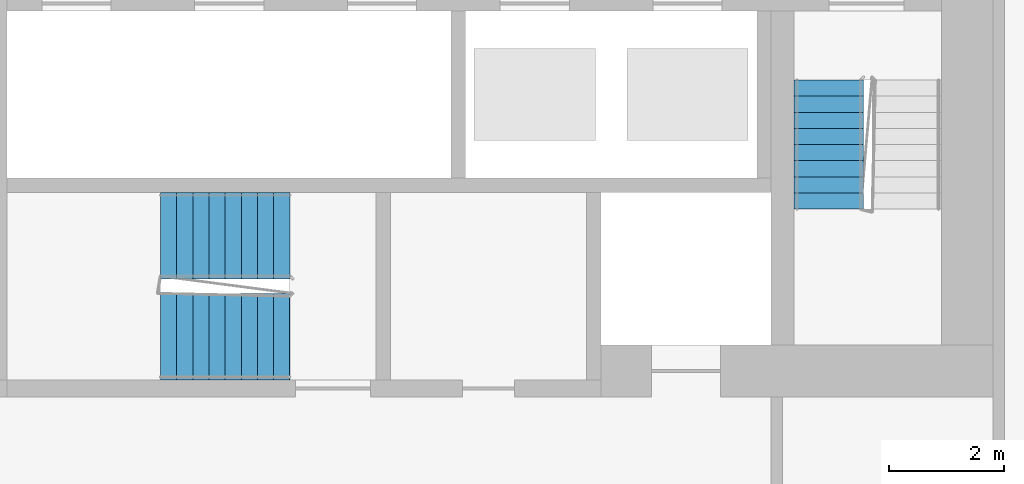
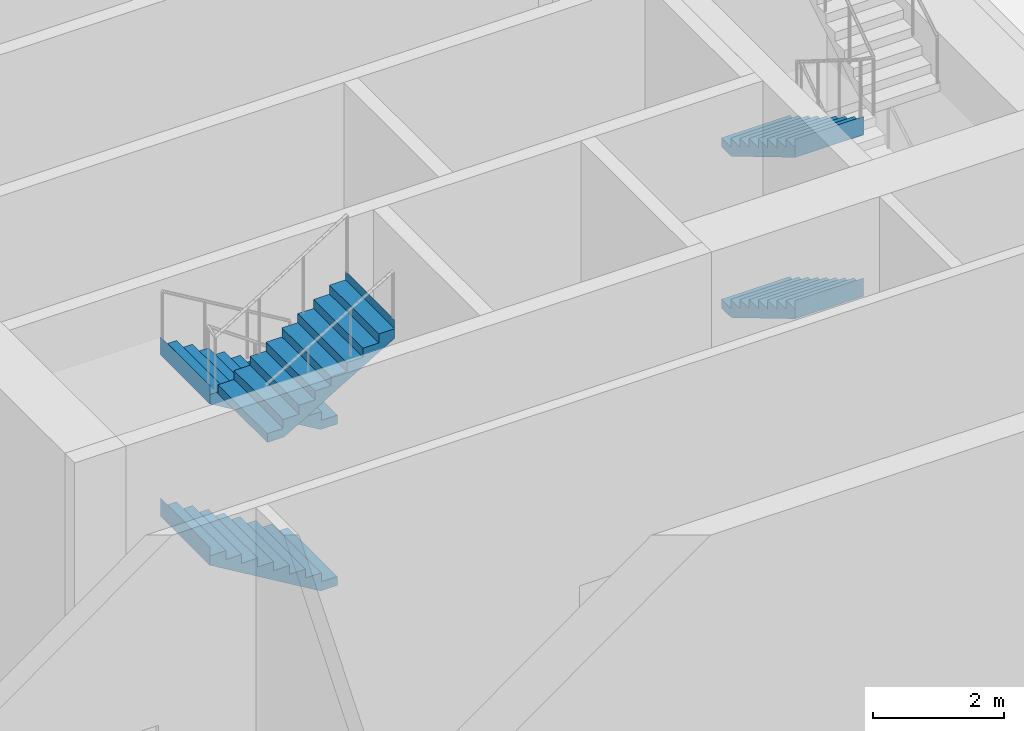
# One storey, part 18 of 27: 5 stair flights, 2 elements without a shape of their own.
"""IFC4 building model written with IfcOpenShell, lengths in metres."""

from ifc_helpers import new_model, si_unit, direction, frame, origin, place, context, subcontext, project, spatial, faceted_brep, material, type_object, element, aggregate, save


model = new_model("IFC4")

# Units and contexts
model_context = context("Model", 3, precision=1e-05, world=origin(), true_north=direction((0.0, 1.0)))
body_context = subcontext(model_context, "Body", "Model", "MODEL_VIEW")
ifc_project = project(units=[si_unit("LENGTHUNIT", "METRE"), si_unit("AREAUNIT", "SQUARE_METRE"), si_unit("VOLUMEUNIT", "CUBIC_METRE"), si_unit("PLANEANGLEUNIT", "RADIAN"), si_unit("MASSUNIT", "GRAM", prefix="KILO")], contexts=[model_context])

# Site, building, storey
site_placement = place(None, origin())
site = spatial("IfcSite", under=ifc_project, at=site_placement, CompositionType="ELEMENT")
building_placement = place(site_placement, origin())
building = spatial("IfcBuilding", under=site, at=building_placement, Name="Kajstack Hotel Tower", CompositionType="ELEMENT")
storey_placement = place(building_placement, frame((0.0, 0.0, 11.0)))
storey = spatial("IfcBuildingStorey", under=building, at=storey_placement, Name="L01", CompositionType="ELEMENT", Elevation=11.0)

# Stair, stair flights
ifc_material = material(Name="Concrete C40/50", Category="concrete")
stair_type_1 = type_object("IfcStairType", Name="Exit stair 1200", PredefinedType="HALF_TURN_STAIR", material=ifc_material)
stair_1_placement = place(storey_placement, origin())
stair_1 = element("IfcStair", 1, at=stair_1_placement, inside=storey, type_object=stair_type_1, Name="L01 stair W2", PredefinedType="HALF_TURN_STAIR")
stair_flight_type_1 = type_object("IfcStairFlightType", Name="Exit stair flight 1200", PredefinedType="STRAIGHT", material=ifc_material)
stair_flight_1_placement = place(storey_placement, frame((-16.35009765625, -10.0, 0.0), z_axis=(0.0, 0.0, 1.0), x_axis=(0.0, -1.0, 0.0)))
stair_flight_1 = element("IfcStairFlight", 2, at=stair_flight_1_placement, type_object=stair_flight_type_1, Name="W2 flight 1", NumberOfRisers=9, NumberOfTreads=8, PredefinedType="STRAIGHT", RiserHeight=0.166666667, TreadLength=0.28, context=body_context, shape_type="Brep", body=[
    faceted_brep([(0.29345703125, -0.60009765625, 0.0), (2.240478515625, -0.60009765625, 1.158935546875), (2.240478515625, -0.60009765625, 1.5), (2.239990234375, -0.60009765625, 1.5), (2.239990234375, -0.60009765625, 1.333251953125), (1.9599609375, -0.60009765625, 1.333251953125), (1.9599609375, -0.60009765625, 1.166748046875), (1.679931640625, -0.60009765625, 1.166748046875), (1.679931640625, -0.60009765625, 1.0), (1.39990234375, -0.60009765625, 1.0), (1.39990234375, -0.60009765625, 0.833251953125), (1.1201171875, -0.60009765625, 0.833251953125), (1.1201171875, -0.60009765625, 0.666748046875), (0.840087890625, -0.60009765625, 0.666748046875), (0.840087890625, -0.60009765625, 0.5), (0.56005859375, -0.60009765625, 0.5), (0.56005859375, -0.60009765625, 0.333251953125), (0.280029296875, -0.60009765625, 0.333251953125), (0.280029296875, -0.60009765625, 0.166748046875), (-0.00048828125, -0.60009765625, 0.166748046875), (-0.00048828125, -0.60009765625, 0.0), (-0.00048828125, 0.60009765625, 0.0), (-0.00048828125, 0.60009765625, 0.166748046875), (0.280029296875, 0.60009765625, 0.166748046875), (0.280029296875, 0.60009765625, 0.333251953125), (0.56005859375, 0.60009765625, 0.333251953125), (0.56005859375, 0.60009765625, 0.5), (0.840087890625, 0.60009765625, 0.5), (0.840087890625, 0.60009765625, 0.666748046875), (1.1201171875, 0.60009765625, 0.666748046875), (1.1201171875, 0.60009765625, 0.833251953125), (1.39990234375, 0.60009765625, 0.833251953125), (1.39990234375, 0.60009765625, 1.0), (1.679931640625, 0.60009765625, 1.0), (1.679931640625, 0.60009765625, 1.166748046875), (1.9599609375, 0.60009765625, 1.166748046875), (1.9599609375, 0.60009765625, 1.333251953125), (2.239990234375, 0.60009765625, 1.333251953125), (2.239990234375, 0.60009765625, 1.5), (2.240478515625, 0.60009765625, 1.5), (2.240478515625, 0.60009765625, 1.158935546875), (0.29345703125, 0.60009765625, 0.0), (-0.00048828125, -0.300048828125, 0.166748046875), (-0.00048828125, 0.0, 0.166748046875), (-0.00048828125, 0.300048828125, 0.166748046875), (-0.00048828125, 0.300048828125, 0.0), (-0.00048828125, 0.0, 0.0), (-0.00048828125, -0.300048828125, 0.0), (0.280029296875, -0.300048828125, 0.166748046875), (0.280029296875, 0.0, 0.166748046875), (0.280029296875, 0.300048828125, 0.166748046875), (0.280029296875, -0.300048828125, 0.333251953125), (0.280029296875, 0.0, 0.333251953125), (0.280029296875, 0.300048828125, 0.333251953125), (0.56005859375, -0.300048828125, 0.333251953125), (0.56005859375, 0.0, 0.333251953125), (0.56005859375, 0.300048828125, 0.333251953125), (0.56005859375, -0.300048828125, 0.5), (0.56005859375, 0.0, 0.5), (0.56005859375, 0.300048828125, 0.5), (0.840087890625, -0.300048828125, 0.5), (0.840087890625, 0.0, 0.5), (0.840087890625, 0.300048828125, 0.5), (0.840087890625, -0.300048828125, 0.666748046875), (0.840087890625, 0.0, 0.666748046875), (0.840087890625, 0.300048828125, 0.666748046875), (1.1201171875, -0.300048828125, 0.666748046875), (1.1201171875, 0.0, 0.666748046875), (1.1201171875, 0.300048828125, 0.666748046875), (1.1201171875, -0.300048828125, 0.833251953125), (1.1201171875, 0.0, 0.833251953125), (1.1201171875, 0.300048828125, 0.833251953125), (1.39990234375, -0.300048828125, 0.833251953125), (1.39990234375, 0.0, 0.833251953125), (1.39990234375, 0.300048828125, 0.833251953125), (1.39990234375, -0.300048828125, 1.0), (1.39990234375, 0.0, 1.0), (1.39990234375, 0.300048828125, 1.0), (1.679931640625, -0.300048828125, 1.0), (1.679931640625, 0.0, 1.0), (1.679931640625, 0.300048828125, 1.0), (1.679931640625, -0.300048828125, 1.166748046875), (1.679931640625, 0.0, 1.166748046875), (1.679931640625, 0.300048828125, 1.166748046875), (1.9599609375, -0.300048828125, 1.166748046875), (1.9599609375, 0.0, 1.166748046875), (1.9599609375, 0.300048828125, 1.166748046875), (1.9599609375, -0.300048828125, 1.333251953125), (1.9599609375, 0.0, 1.333251953125), (1.9599609375, 0.300048828125, 1.333251953125), (2.239990234375, -0.300048828125, 1.333251953125), (2.239990234375, 0.0, 1.333251953125), (2.239990234375, 0.300048828125, 1.333251953125), (2.239990234375, -0.300048828125, 1.5), (2.239990234375, 0.0, 1.5), (2.239990234375, 0.300048828125, 1.5), (2.240478515625, -0.300048828125, 1.5), (2.240478515625, 0.0, 1.5), (2.240478515625, 0.300048828125, 1.5), (2.240478515625, -0.300048828125, 1.158935546875), (2.240478515625, 0.0, 1.158935546875), (2.240478515625, 0.300048828125, 1.158935546875), (0.29345703125, -0.300048828125, 0.0), (0.29345703125, 0.0, 0.0), (0.29345703125, 0.300048828125, 0.0)], [[[0, 1, 2, 3, 4, 5, 6, 7, 8, 9, 10, 11, 12, 13, 14, 15, 16, 17, 18, 19, 20]], [[21, 22, 23, 24, 25, 26, 27, 28, 29, 30, 31, 32, 33, 34, 35, 36, 37, 38, 39, 40, 41]], [[19, 42, 43, 44, 22, 21, 45, 46, 47, 20]], [[18, 48, 49, 50, 23, 22, 44, 43, 42, 19]], [[17, 51, 52, 53, 24, 23, 50, 49, 48, 18]], [[16, 54, 55, 56, 25, 24, 53, 52, 51, 17]], [[15, 57, 58, 59, 26, 25, 56, 55, 54, 16]], [[14, 60, 61, 62, 27, 26, 59, 58, 57, 15]], [[13, 63, 64, 65, 28, 27, 62, 61, 60, 14]], [[12, 66, 67, 68, 29, 28, 65, 64, 63, 13]], [[11, 69, 70, 71, 30, 29, 68, 67, 66, 12]], [[10, 72, 73, 74, 31, 30, 71, 70, 69, 11]], [[9, 75, 76, 77, 32, 31, 74, 73, 72, 10]], [[8, 78, 79, 80, 33, 32, 77, 76, 75, 9]], [[7, 81, 82, 83, 34, 33, 80, 79, 78, 8]], [[6, 84, 85, 86, 35, 34, 83, 82, 81, 7]], [[5, 87, 88, 89, 36, 35, 86, 85, 84, 6]], [[4, 90, 91, 92, 37, 36, 89, 88, 87, 5]], [[3, 93, 94, 95, 38, 37, 92, 91, 90, 4]], [[2, 96, 97, 98, 39, 38, 95, 94, 93, 3]], [[1, 99, 100, 101, 40, 39, 98, 97, 96, 2]], [[0, 102, 103, 104, 41, 40, 101, 100, 99, 1]], [[20, 47, 46, 45, 21, 41, 104, 103, 102, 0]]]),
])
stair_flight_2_placement = place(storey_placement, frame((-16.35009765625, -10.0, 3.0), z_axis=(0.0, 0.0, 1.0), x_axis=(0.0, -1.0, 0.0)))
stair_flight_2 = element("IfcStairFlight", 3, at=stair_flight_2_placement, type_object=stair_flight_type_1, Name="W2 flight 3", NumberOfRisers=9, NumberOfTreads=8, PredefinedType="STRAIGHT", RiserHeight=0.166666667, TreadLength=0.28, context=body_context, shape_type="Brep", body=[
    faceted_brep([(0.29345703125, -0.60009765625, 0.0), (2.240478515625, -0.60009765625, 1.158935546875), (2.240478515625, -0.60009765625, 1.5), (2.239990234375, -0.60009765625, 1.5), (2.239990234375, -0.60009765625, 1.333251953125), (1.9599609375, -0.60009765625, 1.333251953125), (1.9599609375, -0.60009765625, 1.166748046875), (1.679931640625, -0.60009765625, 1.166748046875), (1.679931640625, -0.60009765625, 1.0), (1.39990234375, -0.60009765625, 1.0), (1.39990234375, -0.60009765625, 0.833251953125), (1.1201171875, -0.60009765625, 0.833251953125), (1.1201171875, -0.60009765625, 0.666748046875), (0.840087890625, -0.60009765625, 0.666748046875), (0.840087890625, -0.60009765625, 0.5), (0.56005859375, -0.60009765625, 0.5), (0.56005859375, -0.60009765625, 0.333251953125), (0.280029296875, -0.60009765625, 0.333251953125), (0.280029296875, -0.60009765625, 0.166748046875), (-0.00048828125, -0.60009765625, 0.166748046875), (-0.00048828125, -0.60009765625, 0.0), (-0.00048828125, 0.60009765625, 0.0), (-0.00048828125, 0.60009765625, 0.166748046875), (0.280029296875, 0.60009765625, 0.166748046875), (0.280029296875, 0.60009765625, 0.333251953125), (0.56005859375, 0.60009765625, 0.333251953125), (0.56005859375, 0.60009765625, 0.5), (0.840087890625, 0.60009765625, 0.5), (0.840087890625, 0.60009765625, 0.666748046875), (1.1201171875, 0.60009765625, 0.666748046875), (1.1201171875, 0.60009765625, 0.833251953125), (1.39990234375, 0.60009765625, 0.833251953125), (1.39990234375, 0.60009765625, 1.0), (1.679931640625, 0.60009765625, 1.0), (1.679931640625, 0.60009765625, 1.166748046875), (1.9599609375, 0.60009765625, 1.166748046875), (1.9599609375, 0.60009765625, 1.333251953125), (2.239990234375, 0.60009765625, 1.333251953125), (2.239990234375, 0.60009765625, 1.5), (2.240478515625, 0.60009765625, 1.5), (2.240478515625, 0.60009765625, 1.158935546875), (0.29345703125, 0.60009765625, 0.0), (-0.00048828125, -0.300048828125, 0.166748046875), (-0.00048828125, 0.0, 0.166748046875), (-0.00048828125, 0.300048828125, 0.166748046875), (-0.00048828125, 0.300048828125, 0.0), (-0.00048828125, 0.0, 0.0), (-0.00048828125, -0.300048828125, 0.0), (0.280029296875, -0.300048828125, 0.166748046875), (0.280029296875, 0.0, 0.166748046875), (0.280029296875, 0.300048828125, 0.166748046875), (0.280029296875, -0.300048828125, 0.333251953125), (0.280029296875, 0.0, 0.333251953125), (0.280029296875, 0.300048828125, 0.333251953125), (0.56005859375, -0.300048828125, 0.333251953125), (0.56005859375, 0.0, 0.333251953125), (0.56005859375, 0.300048828125, 0.333251953125), (0.56005859375, -0.300048828125, 0.5), (0.56005859375, 0.0, 0.5), (0.56005859375, 0.300048828125, 0.5), (0.840087890625, -0.300048828125, 0.5), (0.840087890625, 0.0, 0.5), (0.840087890625, 0.300048828125, 0.5), (0.840087890625, -0.300048828125, 0.666748046875), (0.840087890625, 0.0, 0.666748046875), (0.840087890625, 0.300048828125, 0.666748046875), (1.1201171875, -0.300048828125, 0.666748046875), (1.1201171875, 0.0, 0.666748046875), (1.1201171875, 0.300048828125, 0.666748046875), (1.1201171875, -0.300048828125, 0.833251953125), (1.1201171875, 0.0, 0.833251953125), (1.1201171875, 0.300048828125, 0.833251953125), (1.39990234375, -0.300048828125, 0.833251953125), (1.39990234375, 0.0, 0.833251953125), (1.39990234375, 0.300048828125, 0.833251953125), (1.39990234375, -0.300048828125, 1.0), (1.39990234375, 0.0, 1.0), (1.39990234375, 0.300048828125, 1.0), (1.679931640625, -0.300048828125, 1.0), (1.679931640625, 0.0, 1.0), (1.679931640625, 0.300048828125, 1.0), (1.679931640625, -0.300048828125, 1.166748046875), (1.679931640625, 0.0, 1.166748046875), (1.679931640625, 0.300048828125, 1.166748046875), (1.9599609375, -0.300048828125, 1.166748046875), (1.9599609375, 0.0, 1.166748046875), (1.9599609375, 0.300048828125, 1.166748046875), (1.9599609375, -0.300048828125, 1.333251953125), (1.9599609375, 0.0, 1.333251953125), (1.9599609375, 0.300048828125, 1.333251953125), (2.239990234375, -0.300048828125, 1.333251953125), (2.239990234375, 0.0, 1.333251953125), (2.239990234375, 0.300048828125, 1.333251953125), (2.239990234375, -0.300048828125, 1.5), (2.239990234375, 0.0, 1.5), (2.239990234375, 0.300048828125, 1.5), (2.240478515625, -0.300048828125, 1.5), (2.240478515625, 0.0, 1.5), (2.240478515625, 0.300048828125, 1.5), (2.240478515625, -0.300048828125, 1.158935546875), (2.240478515625, 0.0, 1.158935546875), (2.240478515625, 0.300048828125, 1.158935546875), (0.29345703125, -0.300048828125, 0.0), (0.29345703125, 0.0, 0.0), (0.29345703125, 0.300048828125, 0.0)], [[[0, 1, 2, 3, 4, 5, 6, 7, 8, 9, 10, 11, 12, 13, 14, 15, 16, 17, 18, 19, 20]], [[21, 22, 23, 24, 25, 26, 27, 28, 29, 30, 31, 32, 33, 34, 35, 36, 37, 38, 39, 40, 41]], [[19, 42, 43, 44, 22, 21, 45, 46, 47, 20]], [[18, 48, 49, 50, 23, 22, 44, 43, 42, 19]], [[17, 51, 52, 53, 24, 23, 50, 49, 48, 18]], [[16, 54, 55, 56, 25, 24, 53, 52, 51, 17]], [[15, 57, 58, 59, 26, 25, 56, 55, 54, 16]], [[14, 60, 61, 62, 27, 26, 59, 58, 57, 15]], [[13, 63, 64, 65, 28, 27, 62, 61, 60, 14]], [[12, 66, 67, 68, 29, 28, 65, 64, 63, 13]], [[11, 69, 70, 71, 30, 29, 68, 67, 66, 12]], [[10, 72, 73, 74, 31, 30, 71, 70, 69, 11]], [[9, 75, 76, 77, 32, 31, 74, 73, 72, 10]], [[8, 78, 79, 80, 33, 32, 77, 76, 75, 9]], [[7, 81, 82, 83, 34, 33, 80, 79, 78, 8]], [[6, 84, 85, 86, 35, 34, 83, 82, 81, 7]], [[5, 87, 88, 89, 36, 35, 86, 85, 84, 6]], [[4, 90, 91, 92, 37, 36, 89, 88, 87, 5]], [[3, 93, 94, 95, 38, 37, 92, 91, 90, 4]], [[2, 96, 97, 98, 39, 38, 95, 94, 93, 3]], [[1, 99, 100, 101, 40, 39, 98, 97, 96, 2]], [[0, 102, 103, 104, 41, 40, 101, 100, 99, 1]], [[20, 47, 46, 45, 21, 41, 104, 103, 102, 0]]]),
])
aggregate(stair_1, [stair_flight_1, stair_flight_2])

stair_type_2 = type_object("IfcStairType", Name="Exit stair 1500", PredefinedType="HALF_TURN_STAIR", material=ifc_material)
stair_2_placement = place(storey_placement, origin())
stair_2 = element("IfcStair", 4, at=stair_2_placement, inside=storey, type_object=stair_type_2, Name="L01 stair W3", PredefinedType="HALF_TURN_STAIR")
stair_flight_type_2 = type_object("IfcStairFlightType", Name="Exit stair flight 1500", PredefinedType="STRAIGHT", material=ifc_material)
stair_flight_3_placement = place(storey_placement, frame((-25.699951171875, -12.699951171875, 0.0), z_axis=(0.0, 0.0, 1.0), x_axis=(-1.0, 0.0, 0.0)))
stair_flight_3 = element("IfcStairFlight", 5, at=stair_flight_3_placement, type_object=stair_flight_type_2, Name="W3 flight 1", NumberOfRisers=9, NumberOfTreads=8, PredefinedType="STRAIGHT", RiserHeight=0.166666667, TreadLength=0.28, context=body_context, shape_type="Brep", body=[
    faceted_brep([(0.29345703125, -0.75, 0.0), (2.240478515625, -0.75, 1.158935546875), (2.240478515625, -0.75, 1.5), (2.239990234375, -0.75, 1.5), (2.239990234375, -0.75, 1.333251953125), (1.9599609375, -0.75, 1.333251953125), (1.9599609375, -0.75, 1.166748046875), (1.679931640625, -0.75, 1.166748046875), (1.679931640625, -0.75, 1.0), (1.39990234375, -0.75, 1.0), (1.39990234375, -0.75, 0.833251953125), (1.1201171875, -0.75, 0.833251953125), (1.1201171875, -0.75, 0.666748046875), (0.840087890625, -0.75, 0.666748046875), (0.840087890625, -0.75, 0.5), (0.56005859375, -0.75, 0.5), (0.56005859375, -0.75, 0.333251953125), (0.280029296875, -0.75, 0.333251953125), (0.280029296875, -0.75, 0.166748046875), (-0.00048828125, -0.75, 0.166748046875), (-0.00048828125, -0.75, 0.0), (-0.00048828125, 0.75, 0.0), (-0.00048828125, 0.75, 0.166748046875), (0.280029296875, 0.75, 0.166748046875), (0.280029296875, 0.75, 0.333251953125), (0.56005859375, 0.75, 0.333251953125), (0.56005859375, 0.75, 0.5), (0.840087890625, 0.75, 0.5), (0.840087890625, 0.75, 0.666748046875), (1.1201171875, 0.75, 0.666748046875), (1.1201171875, 0.75, 0.833251953125), (1.39990234375, 0.75, 0.833251953125), (1.39990234375, 0.75, 1.0), (1.679931640625, 0.75, 1.0), (1.679931640625, 0.75, 1.166748046875), (1.9599609375, 0.75, 1.166748046875), (1.9599609375, 0.75, 1.333251953125), (2.239990234375, 0.75, 1.333251953125), (2.239990234375, 0.75, 1.5), (2.240478515625, 0.75, 1.5), (2.240478515625, 0.75, 1.158935546875), (0.29345703125, 0.75, 0.0), (-0.00048828125, -0.375, 0.166748046875), (-0.00048828125, 0.0, 0.166748046875), (-0.00048828125, 0.375, 0.166748046875), (-0.00048828125, 0.375, 0.0), (-0.00048828125, 0.0, 0.0), (-0.00048828125, -0.375, 0.0), (0.280029296875, -0.375, 0.166748046875), (0.280029296875, 0.0, 0.166748046875), (0.280029296875, 0.375, 0.166748046875), (0.280029296875, -0.375, 0.333251953125), (0.280029296875, 0.0, 0.333251953125), (0.280029296875, 0.375, 0.333251953125), (0.56005859375, -0.375, 0.333251953125), (0.56005859375, 0.0, 0.333251953125), (0.56005859375, 0.375, 0.333251953125), (0.56005859375, -0.375, 0.5), (0.56005859375, 0.0, 0.5), (0.56005859375, 0.375, 0.5), (0.840087890625, -0.375, 0.5), (0.840087890625, 0.0, 0.5), (0.840087890625, 0.375, 0.5), (0.840087890625, -0.375, 0.666748046875), (0.840087890625, 0.0, 0.666748046875), (0.840087890625, 0.375, 0.666748046875), (1.1201171875, -0.375, 0.666748046875), (1.1201171875, 0.0, 0.666748046875), (1.1201171875, 0.375, 0.666748046875), (1.1201171875, -0.375, 0.833251953125), (1.1201171875, 0.0, 0.833251953125), (1.1201171875, 0.375, 0.833251953125), (1.39990234375, -0.375, 0.833251953125), (1.39990234375, 0.0, 0.833251953125), (1.39990234375, 0.375, 0.833251953125), (1.39990234375, -0.375, 1.0), (1.39990234375, 0.0, 1.0), (1.39990234375, 0.375, 1.0), (1.679931640625, -0.375, 1.0), (1.679931640625, 0.0, 1.0), (1.679931640625, 0.375, 1.0), (1.679931640625, -0.375, 1.166748046875), (1.679931640625, 0.0, 1.166748046875), (1.679931640625, 0.375, 1.166748046875), (1.9599609375, -0.375, 1.166748046875), (1.9599609375, 0.0, 1.166748046875), (1.9599609375, 0.375, 1.166748046875), (1.9599609375, -0.375, 1.333251953125), (1.9599609375, 0.0, 1.333251953125), (1.9599609375, 0.375, 1.333251953125), (2.239990234375, -0.375, 1.333251953125), (2.239990234375, 0.0, 1.333251953125), (2.239990234375, 0.375, 1.333251953125), (2.239990234375, -0.375, 1.5), (2.239990234375, 0.0, 1.5), (2.239990234375, 0.375, 1.5), (2.240478515625, -0.375, 1.5), (2.240478515625, 0.0, 1.5), (2.240478515625, 0.375, 1.5), (2.240478515625, -0.375, 1.158935546875), (2.240478515625, 0.0, 1.158935546875), (2.240478515625, 0.375, 1.158935546875), (0.29345703125, -0.375, 0.0), (0.29345703125, 0.0, 0.0), (0.29345703125, 0.375, 0.0)], [[[0, 1, 2, 3, 4, 5, 6, 7, 8, 9, 10, 11, 12, 13, 14, 15, 16, 17, 18, 19, 20]], [[21, 22, 23, 24, 25, 26, 27, 28, 29, 30, 31, 32, 33, 34, 35, 36, 37, 38, 39, 40, 41]], [[19, 42, 43, 44, 22, 21, 45, 46, 47, 20]], [[18, 48, 49, 50, 23, 22, 44, 43, 42, 19]], [[17, 51, 52, 53, 24, 23, 50, 49, 48, 18]], [[16, 54, 55, 56, 25, 24, 53, 52, 51, 17]], [[15, 57, 58, 59, 26, 25, 56, 55, 54, 16]], [[14, 60, 61, 62, 27, 26, 59, 58, 57, 15]], [[13, 63, 64, 65, 28, 27, 62, 61, 60, 14]], [[12, 66, 67, 68, 29, 28, 65, 64, 63, 13]], [[11, 69, 70, 71, 30, 29, 68, 67, 66, 12]], [[10, 72, 73, 74, 31, 30, 71, 70, 69, 11]], [[9, 75, 76, 77, 32, 31, 74, 73, 72, 10]], [[8, 78, 79, 80, 33, 32, 77, 76, 75, 9]], [[7, 81, 82, 83, 34, 33, 80, 79, 78, 8]], [[6, 84, 85, 86, 35, 34, 83, 82, 81, 7]], [[5, 87, 88, 89, 36, 35, 86, 85, 84, 6]], [[4, 90, 91, 92, 37, 36, 89, 88, 87, 5]], [[3, 93, 94, 95, 38, 37, 92, 91, 90, 4]], [[2, 96, 97, 98, 39, 38, 95, 94, 93, 3]], [[1, 99, 100, 101, 40, 39, 98, 97, 96, 2]], [[0, 102, 103, 104, 41, 40, 101, 100, 99, 1]], [[20, 47, 46, 45, 21, 41, 104, 103, 102, 0]]]),
])
stair_flight_4_placement = place(storey_placement, frame((-25.699951171875, -12.699951171875, 3.0), z_axis=(0.0, 0.0, 1.0), x_axis=(-1.0, 0.0, 0.0)))
stair_flight_4 = element("IfcStairFlight", 6, at=stair_flight_4_placement, type_object=stair_flight_type_2, Name="W3 flight 3", NumberOfRisers=9, NumberOfTreads=8, PredefinedType="STRAIGHT", RiserHeight=0.166666667, TreadLength=0.28, context=body_context, shape_type="Brep", body=[
    faceted_brep([(0.29345703125, -0.75, 0.0), (2.240478515625, -0.75, 1.158935546875), (2.240478515625, -0.75, 1.5), (2.239990234375, -0.75, 1.5), (2.239990234375, -0.75, 1.333251953125), (1.9599609375, -0.75, 1.333251953125), (1.9599609375, -0.75, 1.166748046875), (1.679931640625, -0.75, 1.166748046875), (1.679931640625, -0.75, 1.0), (1.39990234375, -0.75, 1.0), (1.39990234375, -0.75, 0.833251953125), (1.1201171875, -0.75, 0.833251953125), (1.1201171875, -0.75, 0.666748046875), (0.840087890625, -0.75, 0.666748046875), (0.840087890625, -0.75, 0.5), (0.56005859375, -0.75, 0.5), (0.56005859375, -0.75, 0.333251953125), (0.280029296875, -0.75, 0.333251953125), (0.280029296875, -0.75, 0.166748046875), (-0.00048828125, -0.75, 0.166748046875), (-0.00048828125, -0.75, 0.0), (-0.00048828125, 0.75, 0.0), (-0.00048828125, 0.75, 0.166748046875), (0.280029296875, 0.75, 0.166748046875), (0.280029296875, 0.75, 0.333251953125), (0.56005859375, 0.75, 0.333251953125), (0.56005859375, 0.75, 0.5), (0.840087890625, 0.75, 0.5), (0.840087890625, 0.75, 0.666748046875), (1.1201171875, 0.75, 0.666748046875), (1.1201171875, 0.75, 0.833251953125), (1.39990234375, 0.75, 0.833251953125), (1.39990234375, 0.75, 1.0), (1.679931640625, 0.75, 1.0), (1.679931640625, 0.75, 1.166748046875), (1.9599609375, 0.75, 1.166748046875), (1.9599609375, 0.75, 1.333251953125), (2.239990234375, 0.75, 1.333251953125), (2.239990234375, 0.75, 1.5), (2.240478515625, 0.75, 1.5), (2.240478515625, 0.75, 1.158935546875), (0.29345703125, 0.75, 0.0), (-0.00048828125, -0.375, 0.166748046875), (-0.00048828125, 0.0, 0.166748046875), (-0.00048828125, 0.375, 0.166748046875), (-0.00048828125, 0.375, 0.0), (-0.00048828125, 0.0, 0.0), (-0.00048828125, -0.375, 0.0), (0.280029296875, -0.375, 0.166748046875), (0.280029296875, 0.0, 0.166748046875), (0.280029296875, 0.375, 0.166748046875), (0.280029296875, -0.375, 0.333251953125), (0.280029296875, 0.0, 0.333251953125), (0.280029296875, 0.375, 0.333251953125), (0.56005859375, -0.375, 0.333251953125), (0.56005859375, 0.0, 0.333251953125), (0.56005859375, 0.375, 0.333251953125), (0.56005859375, -0.375, 0.5), (0.56005859375, 0.0, 0.5), (0.56005859375, 0.375, 0.5), (0.840087890625, -0.375, 0.5), (0.840087890625, 0.0, 0.5), (0.840087890625, 0.375, 0.5), (0.840087890625, -0.375, 0.666748046875), (0.840087890625, 0.0, 0.666748046875), (0.840087890625, 0.375, 0.666748046875), (1.1201171875, -0.375, 0.666748046875), (1.1201171875, 0.0, 0.666748046875), (1.1201171875, 0.375, 0.666748046875), (1.1201171875, -0.375, 0.833251953125), (1.1201171875, 0.0, 0.833251953125), (1.1201171875, 0.375, 0.833251953125), (1.39990234375, -0.375, 0.833251953125), (1.39990234375, 0.0, 0.833251953125), (1.39990234375, 0.375, 0.833251953125), (1.39990234375, -0.375, 1.0), (1.39990234375, 0.0, 1.0), (1.39990234375, 0.375, 1.0), (1.679931640625, -0.375, 1.0), (1.679931640625, 0.0, 1.0), (1.679931640625, 0.375, 1.0), (1.679931640625, -0.375, 1.166748046875), (1.679931640625, 0.0, 1.166748046875), (1.679931640625, 0.375, 1.166748046875), (1.9599609375, -0.375, 1.166748046875), (1.9599609375, 0.0, 1.166748046875), (1.9599609375, 0.375, 1.166748046875), (1.9599609375, -0.375, 1.333251953125), (1.9599609375, 0.0, 1.333251953125), (1.9599609375, 0.375, 1.333251953125), (2.239990234375, -0.375, 1.333251953125), (2.239990234375, 0.0, 1.333251953125), (2.239990234375, 0.375, 1.333251953125), (2.239990234375, -0.375, 1.5), (2.239990234375, 0.0, 1.5), (2.239990234375, 0.375, 1.5), (2.240478515625, -0.375, 1.5), (2.240478515625, 0.0, 1.5), (2.240478515625, 0.375, 1.5), (2.240478515625, -0.375, 1.158935546875), (2.240478515625, 0.0, 1.158935546875), (2.240478515625, 0.375, 1.158935546875), (0.29345703125, -0.375, 0.0), (0.29345703125, 0.0, 0.0), (0.29345703125, 0.375, 0.0)], [[[0, 1, 2, 3, 4, 5, 6, 7, 8, 9, 10, 11, 12, 13, 14, 15, 16, 17, 18, 19, 20]], [[21, 22, 23, 24, 25, 26, 27, 28, 29, 30, 31, 32, 33, 34, 35, 36, 37, 38, 39, 40, 41]], [[19, 42, 43, 44, 22, 21, 45, 46, 47, 20]], [[18, 48, 49, 50, 23, 22, 44, 43, 42, 19]], [[17, 51, 52, 53, 24, 23, 50, 49, 48, 18]], [[16, 54, 55, 56, 25, 24, 53, 52, 51, 17]], [[15, 57, 58, 59, 26, 25, 56, 55, 54, 16]], [[14, 60, 61, 62, 27, 26, 59, 58, 57, 15]], [[13, 63, 64, 65, 28, 27, 62, 61, 60, 14]], [[12, 66, 67, 68, 29, 28, 65, 64, 63, 13]], [[11, 69, 70, 71, 30, 29, 68, 67, 66, 12]], [[10, 72, 73, 74, 31, 30, 71, 70, 69, 11]], [[9, 75, 76, 77, 32, 31, 74, 73, 72, 10]], [[8, 78, 79, 80, 33, 32, 77, 76, 75, 9]], [[7, 81, 82, 83, 34, 33, 80, 79, 78, 8]], [[6, 84, 85, 86, 35, 34, 83, 82, 81, 7]], [[5, 87, 88, 89, 36, 35, 86, 85, 84, 6]], [[4, 90, 91, 92, 37, 36, 89, 88, 87, 5]], [[3, 93, 94, 95, 38, 37, 92, 91, 90, 4]], [[2, 96, 97, 98, 39, 38, 95, 94, 93, 3]], [[1, 99, 100, 101, 40, 39, 98, 97, 96, 2]], [[0, 102, 103, 104, 41, 40, 101, 100, 99, 1]], [[20, 47, 46, 45, 21, 41, 104, 103, 102, 0]]]),
])
stair_flight_5_placement = place(storey_placement, frame((-27.93994140625, -14.449951171875, 4.5), z_axis=(0.0, 0.0, 1.0), x_axis=(1.0, 0.0, 0.0)))
stair_flight_5 = element("IfcStairFlight", 7, at=stair_flight_5_placement, type_object=stair_flight_type_2, Name="W3 flight 4", NumberOfRisers=9, NumberOfTreads=8, PredefinedType="STRAIGHT", RiserHeight=0.166666667, TreadLength=0.28, context=body_context, shape_type="Brep", body=[
    faceted_brep([(0.29345703125, -0.75, 0.0), (2.240478515625, -0.75, 1.158935546875), (2.240478515625, -0.75, 1.5), (2.239990234375, -0.75, 1.5), (2.239990234375, -0.75, 1.333251953125), (1.9599609375, -0.75, 1.333251953125), (1.9599609375, -0.75, 1.166748046875), (1.679931640625, -0.75, 1.166748046875), (1.679931640625, -0.75, 1.0), (1.39990234375, -0.75, 1.0), (1.39990234375, -0.75, 0.833251953125), (1.1201171875, -0.75, 0.833251953125), (1.1201171875, -0.75, 0.666748046875), (0.840087890625, -0.75, 0.666748046875), (0.840087890625, -0.75, 0.5), (0.56005859375, -0.75, 0.5), (0.56005859375, -0.75, 0.333251953125), (0.280029296875, -0.75, 0.333251953125), (0.280029296875, -0.75, 0.166748046875), (-0.00048828125, -0.75, 0.166748046875), (-0.00048828125, -0.75, 0.0), (-0.00048828125, 0.75, 0.0), (-0.00048828125, 0.75, 0.166748046875), (0.280029296875, 0.75, 0.166748046875), (0.280029296875, 0.75, 0.333251953125), (0.56005859375, 0.75, 0.333251953125), (0.56005859375, 0.75, 0.5), (0.840087890625, 0.75, 0.5), (0.840087890625, 0.75, 0.666748046875), (1.1201171875, 0.75, 0.666748046875), (1.1201171875, 0.75, 0.833251953125), (1.39990234375, 0.75, 0.833251953125), (1.39990234375, 0.75, 1.0), (1.679931640625, 0.75, 1.0), (1.679931640625, 0.75, 1.166748046875), (1.9599609375, 0.75, 1.166748046875), (1.9599609375, 0.75, 1.333251953125), (2.239990234375, 0.75, 1.333251953125), (2.239990234375, 0.75, 1.5), (2.240478515625, 0.75, 1.5), (2.240478515625, 0.75, 1.158935546875), (0.29345703125, 0.75, 0.0), (-0.00048828125, -0.375, 0.166748046875), (-0.00048828125, 0.0, 0.166748046875), (-0.00048828125, 0.375, 0.166748046875), (-0.00048828125, 0.375, 0.0), (-0.00048828125, 0.0, 0.0), (-0.00048828125, -0.375, 0.0), (0.280029296875, -0.375, 0.166748046875), (0.280029296875, 0.0, 0.166748046875), (0.280029296875, 0.375, 0.166748046875), (0.280029296875, -0.375, 0.333251953125), (0.280029296875, 0.0, 0.333251953125), (0.280029296875, 0.375, 0.333251953125), (0.56005859375, -0.375, 0.333251953125), (0.56005859375, 0.0, 0.333251953125), (0.56005859375, 0.375, 0.333251953125), (0.56005859375, -0.375, 0.5), (0.56005859375, 0.0, 0.5), (0.56005859375, 0.375, 0.5), (0.840087890625, -0.375, 0.5), (0.840087890625, 0.0, 0.5), (0.840087890625, 0.375, 0.5), (0.840087890625, -0.375, 0.666748046875), (0.840087890625, 0.0, 0.666748046875), (0.840087890625, 0.375, 0.666748046875), (1.1201171875, -0.375, 0.666748046875), (1.1201171875, 0.0, 0.666748046875), (1.1201171875, 0.375, 0.666748046875), (1.1201171875, -0.375, 0.833251953125), (1.1201171875, 0.0, 0.833251953125), (1.1201171875, 0.375, 0.833251953125), (1.39990234375, -0.375, 0.833251953125), (1.39990234375, 0.0, 0.833251953125), (1.39990234375, 0.375, 0.833251953125), (1.39990234375, -0.375, 1.0), (1.39990234375, 0.0, 1.0), (1.39990234375, 0.375, 1.0), (1.679931640625, -0.375, 1.0), (1.679931640625, 0.0, 1.0), (1.679931640625, 0.375, 1.0), (1.679931640625, -0.375, 1.166748046875), (1.679931640625, 0.0, 1.166748046875), (1.679931640625, 0.375, 1.166748046875), (1.9599609375, -0.375, 1.166748046875), (1.9599609375, 0.0, 1.166748046875), (1.9599609375, 0.375, 1.166748046875), (1.9599609375, -0.375, 1.333251953125), (1.9599609375, 0.0, 1.333251953125), (1.9599609375, 0.375, 1.333251953125), (2.239990234375, -0.375, 1.333251953125), (2.239990234375, 0.0, 1.333251953125), (2.239990234375, 0.375, 1.333251953125), (2.239990234375, -0.375, 1.5), (2.239990234375, 0.0, 1.5), (2.239990234375, 0.375, 1.5), (2.240478515625, -0.375, 1.5), (2.240478515625, 0.0, 1.5), (2.240478515625, 0.375, 1.5), (2.240478515625, -0.375, 1.158935546875), (2.240478515625, 0.0, 1.158935546875), (2.240478515625, 0.375, 1.158935546875), (0.29345703125, -0.375, 0.0), (0.29345703125, 0.0, 0.0), (0.29345703125, 0.375, 0.0)], [[[0, 1, 2, 3, 4, 5, 6, 7, 8, 9, 10, 11, 12, 13, 14, 15, 16, 17, 18, 19, 20]], [[21, 22, 23, 24, 25, 26, 27, 28, 29, 30, 31, 32, 33, 34, 35, 36, 37, 38, 39, 40, 41]], [[19, 42, 43, 44, 22, 21, 45, 46, 47, 20]], [[18, 48, 49, 50, 23, 22, 44, 43, 42, 19]], [[17, 51, 52, 53, 24, 23, 50, 49, 48, 18]], [[16, 54, 55, 56, 25, 24, 53, 52, 51, 17]], [[15, 57, 58, 59, 26, 25, 56, 55, 54, 16]], [[14, 60, 61, 62, 27, 26, 59, 58, 57, 15]], [[13, 63, 64, 65, 28, 27, 62, 61, 60, 14]], [[12, 66, 67, 68, 29, 28, 65, 64, 63, 13]], [[11, 69, 70, 71, 30, 29, 68, 67, 66, 12]], [[10, 72, 73, 74, 31, 30, 71, 70, 69, 11]], [[9, 75, 76, 77, 32, 31, 74, 73, 72, 10]], [[8, 78, 79, 80, 33, 32, 77, 76, 75, 9]], [[7, 81, 82, 83, 34, 33, 80, 79, 78, 8]], [[6, 84, 85, 86, 35, 34, 83, 82, 81, 7]], [[5, 87, 88, 89, 36, 35, 86, 85, 84, 6]], [[4, 90, 91, 92, 37, 36, 89, 88, 87, 5]], [[3, 93, 94, 95, 38, 37, 92, 91, 90, 4]], [[2, 96, 97, 98, 39, 38, 95, 94, 93, 3]], [[1, 99, 100, 101, 40, 39, 98, 97, 96, 2]], [[0, 102, 103, 104, 41, 40, 101, 100, 99, 1]], [[20, 47, 46, 45, 21, 41, 104, 103, 102, 0]]]),
])
aggregate(stair_2, [stair_flight_3, stair_flight_4, stair_flight_5])

save(model, "model.ifc")
